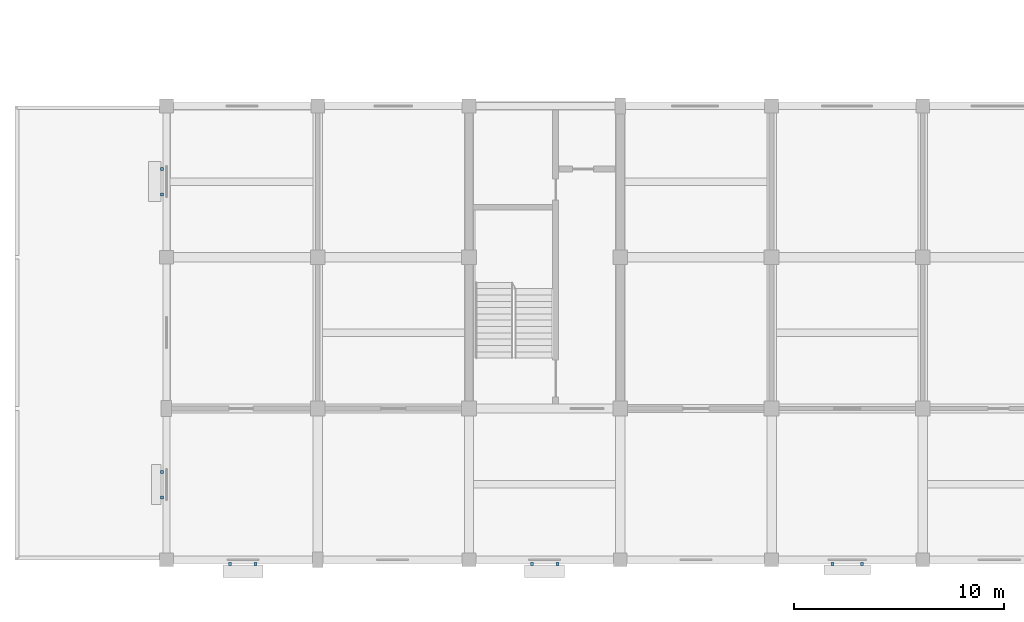
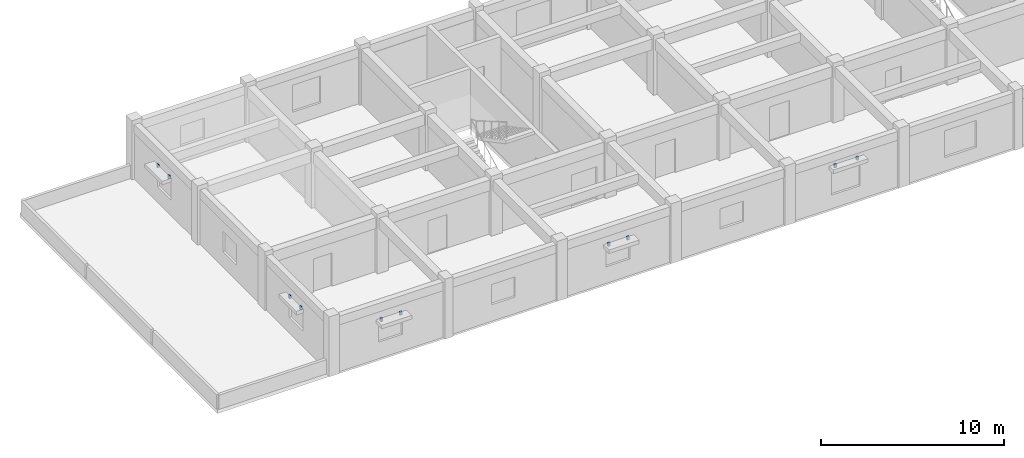
# One storey, part 12 of 16: 10 discrete accessories.
"""IFC4 building model written with IfcOpenShell, lengths in metres."""

from ifc_helpers import new_model, si_unit, direction, frame, origin, origin_2d, place, context, subcontext, project, spatial, rectangle, extrude, material, type_object, element, save


model = new_model("IFC4")

# Units and contexts
model_context = context("Model", 3, precision=1e-05, world=origin(), true_north=direction((0.0, 1.0)))
body_context = subcontext(model_context, "Body", "Model", "MODEL_VIEW")
ifc_project = project(units=[si_unit("LENGTHUNIT", "METRE"), si_unit("AREAUNIT", "SQUARE_METRE"), si_unit("VOLUMEUNIT", "CUBIC_METRE"), si_unit("PLANEANGLEUNIT", "RADIAN"), si_unit("MASSUNIT", "GRAM", prefix="KILO")], contexts=[model_context])

# Site, building, storey
site_placement = place(None, origin())
site = spatial("IfcSite", under=ifc_project, at=site_placement, CompositionType="ELEMENT")
building_placement = place(site_placement, origin())
building = spatial("IfcBuilding", under=site, at=building_placement, Name="Cendaluz Park School", CompositionType="ELEMENT")
storey_placement = place(building_placement, frame((0.0, 0.0, 22.60009765625)))
storey = spatial("IfcBuildingStorey", under=building, at=storey_placement, Name="L05", CompositionType="ELEMENT", Elevation=22.60009765625)

# Discrete accessories
ifc_material = material(Name="Steel S355", Category="steel")
discrete_accessory_type = type_object("IfcDiscreteAccessoryType", Name="BK-01", PredefinedType="BRACKET", material=ifc_material)
for number, where, z_axis, x_axis, name in (
    (1, (24.62939453125, 6.989990234375, 2.47998046875), (0.0, 0.0, 1.0), (1.0, 0.0, 0.0), "BK-L05-141"),
    (2, (25.845458984375, 6.989990234375, 2.47998046875), (0.0, 0.0, 1.0), (1.0, 0.0, 0.0), "BK-L05-142"),
    (3, (21.389892578125, 10.1669921875, 2.47998046875), (0.0, 0.0, 1.0), (0.0, 1.0, 0.0), "BK-L05-143"),
    (4, (21.389892578125, 11.383056640625, 2.47998046875), (0.0, 0.0, 1.0), (0.0, 1.0, 0.0), "BK-L05-144"),
    (5, (21.389892578125, 24.592041015625, 2.47998046875), (0.0, 0.0, 1.0), (0.0, 1.0, 0.0), "BK-L05-145"),
    (6, (21.389892578125, 25.80810546875, 2.47998046875), (0.0, 0.0, 1.0), (0.0, 1.0, 0.0), "BK-L05-146"),
    (7, (38.991943359375, 6.989990234375, 2.47998046875), (0.0, 0.0, 1.0), (1.0, 0.0, 0.0), "BK-L05-147"),
    (8, (40.2080078125, 6.989990234375, 2.47998046875), (0.0, 0.0, 1.0), (1.0, 0.0, 0.0), "BK-L05-148"),
    (9, (53.2958984375, 6.989990234375, 2.72998046875), (0.0, 0.0, 1.0), (1.0, 0.0, 0.0), "BK-L05-149"),
    (10, (54.7041015625, 6.989990234375, 2.72998046875), (0.0, 0.0, 1.0), (1.0, 0.0, 0.0), "BK-L05-150"),
):
    element("IfcDiscreteAccessory", number, at=place(storey_placement, frame(where, z_axis=z_axis, x_axis=x_axis)), inside=storey, type_object=discrete_accessory_type, Name=name, PredefinedType="BRACKET", context=body_context, shape_type="SweptSolid", body=[
        extrude(rectangle(XDim=0.139892578125, YDim=0.139892578125, at=origin_2d()), origin(), (0.0, 0.0, 1.0), 0.219970703125),
    ])

save(model, "model.ifc")
